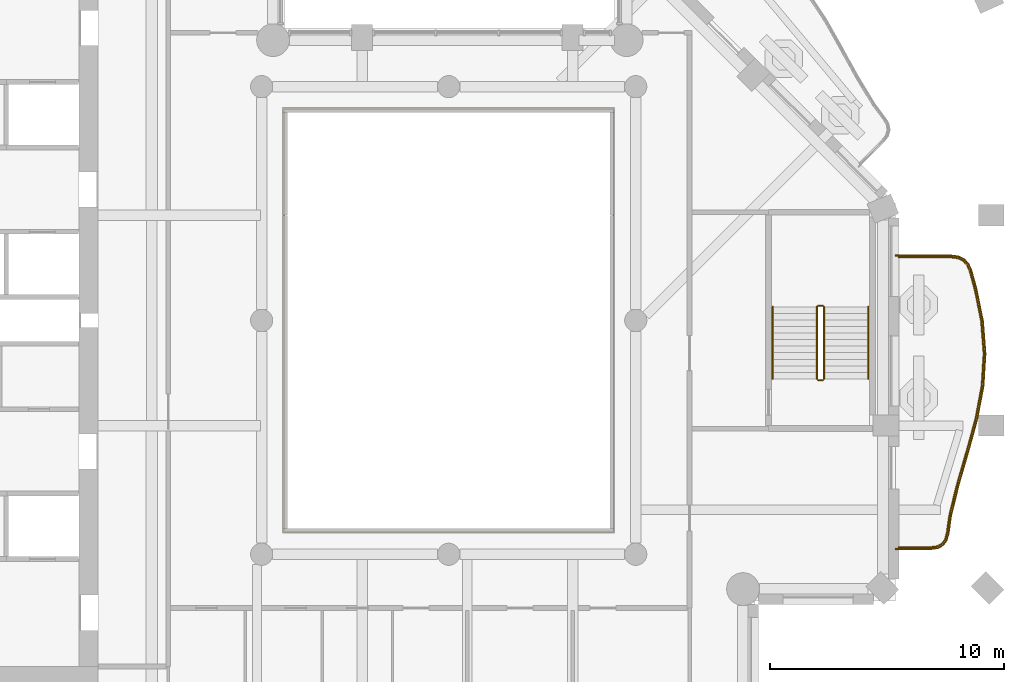
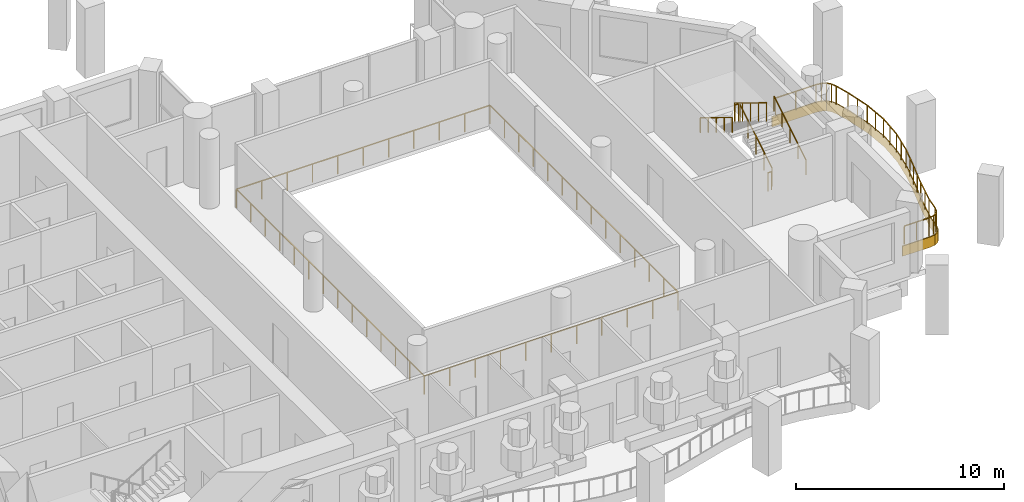
# One storey, part 12 of 15: 8 railings, 1 covering.
"""IFC4 building model written with IfcOpenShell, lengths in metres."""

import ifcopenshell
import ifcopenshell.guid

model = None  # the IFC model being written
_history = None  # IfcOwnerHistory: only IFC2X3 demands one
_inside = {}  # id of a spatial element -> (the spatial element, [elements in it])
_under = {}  # id of a project, library or spatial element -> (it, [spatial elements below it])
_declared = {}  # id of a project -> (the project, [libraries it declares])
_typed = {}  # id of a type object -> (the type object, [elements of that type])
_made_of = {}  # id of a material, layer set ... -> (it, [elements and type objects made of it])


def new_model(schema):
    """Start an empty IFC model of exactly this schema.

    Asked for "IFC4X3", IfcOpenShell would pick the latest addendum, in which some entities
    have other attributes; the version numbers below select the first issue.
    IFC2X3 requires an IfcOwnerHistory on every rooted entity: one is made here for all.
    """
    global model, _history
    if schema == "IFC4X3":
        model = ifcopenshell.file(schema_version=(4, 3, 0, 0))
    else:
        model = ifcopenshell.file(schema=schema)
    _inside.clear()
    _under.clear()
    _declared.clear()
    _typed.clear()
    _made_of.clear()
    _history = None
    if model.schema == "IFC2X3":
        org = make("IfcOrganization", Name="unknown")
        user = make(
            "IfcPersonAndOrganization",
            ThePerson=make("IfcPerson", FamilyName="unknown"),
            TheOrganization=org,
        )
        app = make(
            "IfcApplication",
            ApplicationDeveloper=org,
            Version="unknown",
            ApplicationFullName="unknown",
            ApplicationIdentifier="unknown",
        )
        _history = make(
            "IfcOwnerHistory",
            OwningUser=user,
            OwningApplication=app,
            ChangeAction="ADDED",
            CreationDate=0,
        )
    return model


def make(cls, **values):
    """One entity of the class cls with the attributes given. An attribute that is None is left unset."""
    return model.create_entity(
        cls, **{name: value for name, value in values.items() if value is not None}
    )


def rooted(cls, **values):
    """An entity with a GlobalId (a new one), such as an element, a storey or a relation."""
    return make(cls, GlobalId=ifcopenshell.guid.new(), OwnerHistory=_history, **values)


def si_unit(unit_type, name, prefix=None):
    """IfcSIUnit, for example si_unit("LENGTHUNIT", "METRE", prefix="MILLI")."""
    return make("IfcSIUnit", UnitType=unit_type, Prefix=prefix, Name=name)


def assignment(units):
    """IfcUnitAssignment: the units of a project."""
    return None if units is None else make("IfcUnitAssignment", Units=units)


def point(xyz):
    """IfcCartesianPoint."""
    return None if xyz is None else make("IfcCartesianPoint", Coordinates=xyz)


def direction(xyz):
    """IfcDirection."""
    return None if xyz is None else make("IfcDirection", DirectionRatios=xyz)


def frame(location, z_axis=None, x_axis=None):
    """IfcAxis2Placement3D, a coordinate frame: its origin and axes. An axis left out is left unset."""
    return make(
        "IfcAxis2Placement3D",
        Location=point(location),
        Axis=direction(z_axis),
        RefDirection=direction(x_axis),
    )


def frame_2d(location, x_axis=None):
    """IfcAxis2Placement2D, a coordinate frame in the plane: its origin and x axis."""
    return make(
        "IfcAxis2Placement2D", Location=point(location), RefDirection=direction(x_axis)
    )


def origin():
    """The frame at (0, 0, 0) with its axes left unset."""
    return frame((0.0, 0.0, 0.0))


def origin_2d():
    """The frame at (0, 0) in the plane with its x axis left unset."""
    return frame_2d((0.0, 0.0))


def place(relative_to, where):
    """IfcLocalPlacement: puts the frame where relative to a parent placement (None: the world)."""
    return make(
        "IfcLocalPlacement", PlacementRelTo=relative_to, RelativePlacement=where
    )


def context(
    kind, dimensions, precision=None, world=None, true_north=None, identifier=None
):
    """IfcGeometricRepresentationContext, for example the 3D "Model" context."""
    return make(
        "IfcGeometricRepresentationContext",
        ContextIdentifier=identifier,
        ContextType=kind,
        CoordinateSpaceDimension=dimensions,
        Precision=precision,
        WorldCoordinateSystem=world,
        TrueNorth=true_north,
    )


def subcontext(parent, identifier, kind, view, scale=None):
    """IfcGeometricRepresentationSubContext, for example "Body" below "Model"."""
    return make(
        "IfcGeometricRepresentationSubContext",
        ContextIdentifier=identifier,
        ContextType=kind,
        ParentContext=parent,
        TargetScale=scale,
        TargetView=view,
    )


def project(units=None, contexts=None):
    """IfcProject with its units and contexts."""
    return rooted(
        "IfcProject",
        Name="project",
        RepresentationContexts=contexts,
        UnitsInContext=assignment(units),
    )


def spatial(cls, under=None, at=None, **own):
    """A site, building, storey or space (cls), placed at a placement, below another one or the project."""
    s = rooted(cls, ObjectPlacement=at, **own)
    if under is not None:
        _under.setdefault(under.id(), (under, []))[1].append(s)
    return s


def polyline(points):
    """IfcPolyline through the points."""
    return make("IfcPolyline", Points=[point(p) for p in points])


def profile(cls, at=None, kind="AREA", **sizes):
    """A parametric profile (cls). Its sizes go by their IFC names, for example OverallWidth=200.0."""
    return make(cls, ProfileType=kind, Position=at, **sizes)


def rectangle(**sizes):
    """IfcRectangleProfileDef."""
    return profile("IfcRectangleProfileDef", **sizes)


def outline(outer, holes=None, kind="AREA"):
    """IfcArbitraryClosedProfileDef: a profile drawn as a closed curve; with holes, ...WithVoids."""
    if holes is None:
        return make("IfcArbitraryClosedProfileDef", ProfileType=kind, OuterCurve=outer)
    return make(
        "IfcArbitraryProfileDefWithVoids",
        ProfileType=kind,
        OuterCurve=outer,
        InnerCurves=holes,
    )


def extrude(swept, where, along, depth):
    """IfcExtrudedAreaSolid: the profile swept, set in the frame where, extruded along a direction by depth."""
    return make(
        "IfcExtrudedAreaSolid",
        SweptArea=swept,
        Position=where,
        ExtrudedDirection=direction(along),
        Depth=depth,
    )


def shape(context_of_items, identifier, shape_type, items):
    """IfcShapeRepresentation: the items that make up one representation, for example the "Body"."""
    return make(
        "IfcShapeRepresentation",
        ContextOfItems=context_of_items,
        RepresentationIdentifier=identifier,
        RepresentationType=shape_type,
        Items=items,
    )


def material(Name=None, Category=None):
    """IfcMaterial."""
    return make("IfcMaterial", Name=Name, Category=Category)


def layer(
    of_material, thickness, ventilated=None, Name=None, Category=None, Priority=None
):
    """IfcMaterialLayer: one layer of a wall or slab, of a material (None: an air gap)."""
    return make(
        "IfcMaterialLayer",
        Material=of_material,
        LayerThickness=thickness,
        IsVentilated=ventilated,
        Name=Name,
        Category=Category,
        Priority=Priority,
    )


def layer_set(layers, Name=None):
    """IfcMaterialLayerSet."""
    return make("IfcMaterialLayerSet", MaterialLayers=layers, LayerSetName=Name)


def made_of(thing, what):
    """Note that an element or type object is made of a material, layer set ...; save() writes the relation."""
    if what is not None:
        _made_of.setdefault(what.id(), (what, []))[1].append(thing)
    return thing


def type_object(cls, material=None, **own):
    """A type object (cls), such as IfcWallType, which elements share."""
    return made_of(rooted(cls, **own), material)


def element(
    cls,
    number,
    at=None,
    inside=None,
    cuts=None,
    type_object=None,
    material=None,
    context=None,
    identifier="Body",
    shape_type=None,
    held_by="IfcProductDefinitionShape",
    body=None,
    shapes=None,
    **own,
):
    """One element of the class cls, such as IfcWall. Its Tag is "e" and its number.

    at: its placement. inside: the storey or other place that contains it. cuts: it is an
    opening in that element (IfcRelVoidsElement). A single representation is given by context,
    identifier, shape_type and body (its items); several are given by shapes. held_by: the class
    of the entity that holds the representations. save() writes the other relations.
    """
    e = rooted(cls, Tag="e%d" % number, ObjectPlacement=at, **own)
    if body is not None:
        shapes = [shape(context, identifier, shape_type, body)]
    if shapes is not None:
        e.Representation = make(held_by, Representations=shapes)
    if inside is not None:
        _inside.setdefault(inside.id(), (inside, []))[1].append(e)
    if cuts is not None:
        rooted(
            "IfcRelVoidsElement", RelatingBuildingElement=cuts, RelatedOpeningElement=e
        )
    if type_object is not None:
        _typed.setdefault(type_object.id(), (type_object, []))[1].append(e)
    return made_of(e, material)


def aggregate(whole, parts):
    """IfcRelAggregates: a whole, such as a stair, and the parts it consists of."""
    return rooted("IfcRelAggregates", RelatingObject=whole, RelatedObjects=parts)


def save(model, path):
    """Write the relations noted so far, then the file.

    IfcRelAggregates (storeys below a building ...), IfcRelContainedInSpatialStructure (elements
    in a storey), IfcRelDefinesByType, IfcRelAssociatesMaterial and IfcRelDeclares: one each for
    every whole, place, type object, material and project.
    """
    for whole, parts in _under.values():
        aggregate(whole, parts)
    for where, things in _inside.values():
        rooted(
            "IfcRelContainedInSpatialStructure",
            RelatedElements=things,
            RelatingStructure=where,
        )
    for kind, things in _typed.values():
        rooted("IfcRelDefinesByType", RelatedObjects=things, RelatingType=kind)
    for what, things in _made_of.values():
        rooted("IfcRelAssociatesMaterial", RelatedObjects=things, RelatingMaterial=what)
    for by, libraries in _declared.values():
        rooted("IfcRelDeclares", RelatingContext=by, RelatedDefinitions=libraries)
    model.write(path)


model = new_model("IFC4")

# Units and contexts
model_context = context("Model", 3, precision=1e-05, world=origin(), true_north=direction((0.0, 1.0)))
body_context = subcontext(model_context, "Body", "Model", "MODEL_VIEW")
ifc_project = project(units=[si_unit("LENGTHUNIT", "METRE"), si_unit("AREAUNIT", "SQUARE_METRE"), si_unit("VOLUMEUNIT", "CUBIC_METRE"), si_unit("PLANEANGLEUNIT", "RADIAN"), si_unit("MASSUNIT", "GRAM", prefix="KILO")], contexts=[model_context])

# Site, building, storey
site_placement = place(None, origin())
site = spatial("IfcSite", under=ifc_project, at=site_placement, CompositionType="ELEMENT")
building_placement = place(site_placement, origin())
building = spatial("IfcBuilding", under=site, at=building_placement, Name="Cypress Arch Tower", CompositionType="ELEMENT")
storey_placement = place(building_placement, frame((0.0, 0.0, 234.300048828125)))
storey = spatial("IfcBuildingStorey", under=building, at=storey_placement, Name="L52", CompositionType="ELEMENT", Elevation=234.300048828125)

# Railing
ifc_material_1 = material(Name="Stainless steel posts and handrail, laminated glass infill", Category="steel")
railing_type_1 = type_object("IfcRailingType", Name="Atrium guard GR1100A", PredefinedType="GUARDRAIL", material=ifc_material_1)
railing_1_placement = place(storey_placement, frame((8.050048828125, -9.050048828125, 0.0)))
element("IfcRailing", 1, at=railing_1_placement, inside=storey, type_object=railing_type_1, Name="Atrium guard L52", PredefinedType="GUARDRAIL", context=body_context, shape_type="SweptSolid", body=[
    extrude(rectangle(XDim=0.050048828125, YDim=0.050048828125, at=origin_2d()), frame((0.0, 0.0, 1.0751953125), z_axis=(-1.0, 0.0, 0.0), x_axis=(0.0, -1.0, 0.0)), (0.0, 0.0, 1.0), 14.10009765625),
    extrude(rectangle(XDim=0.050048828125, YDim=0.050048828125, at=origin_2d()), frame((-14.10009765625, 0.0, 1.0751953125), z_axis=(0.0, 1.0, 0.0), x_axis=(-1.0, 0.0, 0.0)), (0.0, 0.0, 1.0), 18.10009765625),
    extrude(rectangle(XDim=0.050048828125, YDim=0.050048828125, at=origin_2d()), frame((-14.10009765625, 18.10009765625, 1.0751953125), z_axis=(1.0, 0.0, 0.0), x_axis=(0.0, 1.0, 0.0)), (0.0, 0.0, 1.0), 14.10009765625),
    extrude(rectangle(XDim=0.050048828125, YDim=0.050048828125, at=origin_2d()), frame((0.0, 18.10009765625, 1.0751953125), z_axis=(0.0, -1.0, 0.0), x_axis=(1.0, 0.0, 0.0)), (0.0, 0.0, 1.0), 18.10009765625),
    extrude(rectangle(XDim=0.050048828125, YDim=0.050048828125, at=origin_2d()), origin(), (0.0, 0.0, 1.0), 1.050048828125),
    extrude(rectangle(XDim=0.050048828125, YDim=0.050048828125, at=origin_2d()), frame((-1.409912109375, 0.0, 0.0)), (0.0, 0.0, 1.0), 1.050048828125),
    extrude(rectangle(XDim=0.050048828125, YDim=0.050048828125, at=origin_2d()), frame((-2.820068359375, 0.0, 0.0)), (0.0, 0.0, 1.0), 1.050048828125),
    extrude(rectangle(XDim=0.050048828125, YDim=0.050048828125, at=origin_2d()), frame((-4.22998046875, 0.0, 0.0)), (0.0, 0.0, 1.0), 1.050048828125),
    extrude(rectangle(XDim=0.050048828125, YDim=0.050048828125, at=origin_2d()), frame((-5.64013671875, 0.0, 0.0)), (0.0, 0.0, 1.0), 1.050048828125),
    extrude(rectangle(XDim=0.050048828125, YDim=0.050048828125, at=origin_2d()), frame((-7.050048828125, 0.0, 0.0)), (0.0, 0.0, 1.0), 1.050048828125),
    extrude(rectangle(XDim=0.050048828125, YDim=0.050048828125, at=origin_2d()), frame((-8.4599609375, 0.0, 0.0)), (0.0, 0.0, 1.0), 1.050048828125),
    extrude(rectangle(XDim=0.050048828125, YDim=0.050048828125, at=origin_2d()), frame((-9.8701171875, 0.0, 0.0)), (0.0, 0.0, 1.0), 1.050048828125),
    extrude(rectangle(XDim=0.050048828125, YDim=0.050048828125, at=origin_2d()), frame((-11.280029296875, 0.0, 0.0)), (0.0, 0.0, 1.0), 1.050048828125),
    extrude(rectangle(XDim=0.050048828125, YDim=0.050048828125, at=origin_2d()), frame((-12.690185546875, 0.0, 0.0)), (0.0, 0.0, 1.0), 1.050048828125),
    extrude(rectangle(XDim=0.050048828125, YDim=0.050048828125, at=origin_2d()), frame((-14.10009765625, 0.0, 0.0)), (0.0, 0.0, 1.0), 1.050048828125),
    extrude(rectangle(XDim=0.050048828125, YDim=0.050048828125, at=origin_2d()), frame((-14.10009765625, 1.392333984375, 0.0)), (0.0, 0.0, 1.0), 1.050048828125),
    extrude(rectangle(XDim=0.050048828125, YDim=0.050048828125, at=origin_2d()), frame((-14.10009765625, 2.78466796875, 0.0)), (0.0, 0.0, 1.0), 1.050048828125),
    extrude(rectangle(XDim=0.050048828125, YDim=0.050048828125, at=origin_2d()), frame((-14.10009765625, 4.177001953125, 0.0)), (0.0, 0.0, 1.0), 1.050048828125),
    extrude(rectangle(XDim=0.050048828125, YDim=0.050048828125, at=origin_2d()), frame((-14.10009765625, 5.5693359375, 0.0)), (0.0, 0.0, 1.0), 1.050048828125),
    extrude(rectangle(XDim=0.050048828125, YDim=0.050048828125, at=origin_2d()), frame((-14.10009765625, 6.961669921875, 0.0)), (0.0, 0.0, 1.0), 1.050048828125),
    extrude(rectangle(XDim=0.050048828125, YDim=0.050048828125, at=origin_2d()), frame((-14.10009765625, 8.35400390625, 0.0)), (0.0, 0.0, 1.0), 1.050048828125),
    extrude(rectangle(XDim=0.050048828125, YDim=0.050048828125, at=origin_2d()), frame((-14.10009765625, 9.74609375, 0.0)), (0.0, 0.0, 1.0), 1.050048828125),
    extrude(rectangle(XDim=0.050048828125, YDim=0.050048828125, at=origin_2d()), frame((-14.10009765625, 11.138427734375, 0.0)), (0.0, 0.0, 1.0), 1.050048828125),
    extrude(rectangle(XDim=0.050048828125, YDim=0.050048828125, at=origin_2d()), frame((-14.10009765625, 12.53076171875, 0.0)), (0.0, 0.0, 1.0), 1.050048828125),
    extrude(rectangle(XDim=0.050048828125, YDim=0.050048828125, at=origin_2d()), frame((-14.10009765625, 13.923095703125, 0.0)), (0.0, 0.0, 1.0), 1.050048828125),
    extrude(rectangle(XDim=0.050048828125, YDim=0.050048828125, at=origin_2d()), frame((-14.10009765625, 15.3154296875, 0.0)), (0.0, 0.0, 1.0), 1.050048828125),
    extrude(rectangle(XDim=0.050048828125, YDim=0.050048828125, at=origin_2d()), frame((-14.10009765625, 16.707763671875, 0.0)), (0.0, 0.0, 1.0), 1.050048828125),
    extrude(rectangle(XDim=0.050048828125, YDim=0.050048828125, at=origin_2d()), frame((-14.10009765625, 18.10009765625, 0.0)), (0.0, 0.0, 1.0), 1.050048828125),
    extrude(rectangle(XDim=0.050048828125, YDim=0.050048828125, at=origin_2d()), frame((-12.690185546875, 18.10009765625, 0.0)), (0.0, 0.0, 1.0), 1.050048828125),
    extrude(rectangle(XDim=0.050048828125, YDim=0.050048828125, at=origin_2d()), frame((-11.280029296875, 18.10009765625, 0.0)), (0.0, 0.0, 1.0), 1.050048828125),
    extrude(rectangle(XDim=0.050048828125, YDim=0.050048828125, at=origin_2d()), frame((-9.8701171875, 18.10009765625, 0.0)), (0.0, 0.0, 1.0), 1.050048828125),
    extrude(rectangle(XDim=0.050048828125, YDim=0.050048828125, at=origin_2d()), frame((-8.4599609375, 18.10009765625, 0.0)), (0.0, 0.0, 1.0), 1.050048828125),
    extrude(rectangle(XDim=0.050048828125, YDim=0.050048828125, at=origin_2d()), frame((-7.050048828125, 18.10009765625, 0.0)), (0.0, 0.0, 1.0), 1.050048828125),
    extrude(rectangle(XDim=0.050048828125, YDim=0.050048828125, at=origin_2d()), frame((-5.64013671875, 18.10009765625, 0.0)), (0.0, 0.0, 1.0), 1.050048828125),
    extrude(rectangle(XDim=0.050048828125, YDim=0.050048828125, at=origin_2d()), frame((-4.22998046875, 18.10009765625, 0.0)), (0.0, 0.0, 1.0), 1.050048828125),
    extrude(rectangle(XDim=0.050048828125, YDim=0.050048828125, at=origin_2d()), frame((-2.820068359375, 18.10009765625, 0.0)), (0.0, 0.0, 1.0), 1.050048828125),
    extrude(rectangle(XDim=0.050048828125, YDim=0.050048828125, at=origin_2d()), frame((-1.409912109375, 18.10009765625, 0.0)), (0.0, 0.0, 1.0), 1.050048828125),
    extrude(rectangle(XDim=0.050048828125, YDim=0.050048828125, at=origin_2d()), frame((0.0, 18.10009765625, 0.0)), (0.0, 0.0, 1.0), 1.050048828125),
    extrude(rectangle(XDim=0.050048828125, YDim=0.050048828125, at=origin_2d()), frame((0.0, 16.707763671875, 0.0)), (0.0, 0.0, 1.0), 1.050048828125),
    extrude(rectangle(XDim=0.050048828125, YDim=0.050048828125, at=origin_2d()), frame((0.0, 15.3154296875, 0.0)), (0.0, 0.0, 1.0), 1.050048828125),
    extrude(rectangle(XDim=0.050048828125, YDim=0.050048828125, at=origin_2d()), frame((0.0, 13.923095703125, 0.0)), (0.0, 0.0, 1.0), 1.050048828125),
    extrude(rectangle(XDim=0.050048828125, YDim=0.050048828125, at=origin_2d()), frame((0.0, 12.53076171875, 0.0)), (0.0, 0.0, 1.0), 1.050048828125),
    extrude(rectangle(XDim=0.050048828125, YDim=0.050048828125, at=origin_2d()), frame((0.0, 11.138427734375, 0.0)), (0.0, 0.0, 1.0), 1.050048828125),
    extrude(rectangle(XDim=0.050048828125, YDim=0.050048828125, at=origin_2d()), frame((0.0, 9.74609375, 0.0)), (0.0, 0.0, 1.0), 1.050048828125),
    extrude(rectangle(XDim=0.050048828125, YDim=0.050048828125, at=origin_2d()), frame((0.0, 8.35400390625, 0.0)), (0.0, 0.0, 1.0), 1.050048828125),
    extrude(rectangle(XDim=0.050048828125, YDim=0.050048828125, at=origin_2d()), frame((0.0, 6.961669921875, 0.0)), (0.0, 0.0, 1.0), 1.050048828125),
    extrude(rectangle(XDim=0.050048828125, YDim=0.050048828125, at=origin_2d()), frame((0.0, 5.5693359375, 0.0)), (0.0, 0.0, 1.0), 1.050048828125),
    extrude(rectangle(XDim=0.050048828125, YDim=0.050048828125, at=origin_2d()), frame((0.0, 4.177001953125, 0.0)), (0.0, 0.0, 1.0), 1.050048828125),
    extrude(rectangle(XDim=0.050048828125, YDim=0.050048828125, at=origin_2d()), frame((0.0, 2.78466796875, 0.0)), (0.0, 0.0, 1.0), 1.050048828125),
    extrude(rectangle(XDim=0.050048828125, YDim=0.050048828125, at=origin_2d()), frame((0.0, 1.392333984375, 0.0)), (0.0, 0.0, 1.0), 1.050048828125),
])

# Covering
ifc_material_2 = material(Name="White powder-coated aluminium fascia", Category="aluminium")
ifc_layer = layer(ifc_material_2, 0.050048828125)
ifc_layer_set = layer_set([ifc_layer], Name="Balcony fascia BF50")
covering_type = type_object("IfcCoveringType", Name="Balcony fascia BF50", PredefinedType="CLADDING", material=ifc_layer_set)
covering_placement = place(storey_placement, frame((0.0, 0.0, -0.60009765625)))
element("IfcCovering", 2, at=covering_placement, inside=storey, type_object=covering_type, Name="Balcony fascia L52-B04", PredefinedType="CLADDING", context=body_context, shape_type="SweptSolid", body=[
    extrude(outline(polyline([(22.513671875, 2.800048828125), (22.81982421875, 2.759521484375), (23.071044921875, 2.63427734375), (23.259033203125, 2.42578125), (23.380126953125, 2.1416015625), (23.59375, 1.372802734375), (23.874755859375, -0.020751953125), (23.98486328125, -1.416259765625), (23.89794921875, -2.811767578125), (23.634765625, -4.20556640625), (23.25634765625, -5.596923828125), (22.850341796875, -6.985107421875), (22.51025390625, -8.37060546875), (22.401611328125, -9.135498046875), (22.31982421875, -9.421142578125), (22.161865234375, -9.63232421875), (21.930419921875, -9.75927734375), (21.63623046875, -9.800048828125), (20.10107421875, -9.800048828125), (20.10107421875, -9.75), (21.632568359375, -9.75), (21.914306640625, -9.7109375), (22.12841796875, -9.59375), (22.2744140625, -9.3984375), (22.3525390625, -9.125), (22.461181640625, -8.361083984375), (22.802001953125, -6.97216796875), (23.208251953125, -5.583251953125), (23.5859375, -4.1943359375), (23.84814453125, -2.8056640625), (23.9345703125, -1.416748046875), (23.8251953125, -0.02783203125), (23.545166015625, 1.361083984375), (23.332763671875, 2.125), (23.21630859375, 2.3984375), (23.040283203125, 2.59375), (22.804931640625, 2.7109375), (22.51025390625, 2.75), (20.10107421875, 2.75), (20.10107421875, 2.800048828125), (22.513671875, 2.800048828125)])), origin(), (0.0, 0.0, 1.0), 0.60009765625),
])

# Railings
ifc_material_3 = material(Name="Powder-coated steel posts and rods, 100 mm clear between rods", Category="steel")
railing_type_2 = type_object("IfcRailingType", Name="Balcony guard GR1100", PredefinedType="GUARDRAIL", material=ifc_material_3)
railing_2_placement = place(storey_placement, frame((20.25, 2.699951171875, 0.0)))
element("IfcRailing", 3, at=railing_2_placement, inside=storey, type_object=railing_type_2, Name="Balcony guard L52-B04", PredefinedType="GUARDRAIL", context=body_context, shape_type="SweptSolid", body=[
    extrude(rectangle(XDim=0.050048828125, YDim=0.050048828125, at=origin_2d()), frame((0.0, 0.0, 1.0751953125), z_axis=(1.0, 0.0, 0.0), x_axis=(0.0, 1.0, 0.0)), (0.0, 0.0, 1.0), 2.257080078125),
    extrude(rectangle(XDim=0.050048828125, YDim=0.050048828125, at=origin_2d()), frame((2.257080078125, 0.0, 1.0751953125), z_axis=(0.991302377652, -0.131603936343, 0.0), x_axis=(0.131603936343, 0.991302377652, 0.0)), (0.0, 0.0, 1.0), 0.28564453125),
    extrude(rectangle(XDim=0.050048828125, YDim=0.050048828125, at=origin_2d()), frame((2.540283203125, -0.03759765625, 1.0751953125), z_axis=(0.895223295072, -0.445617831734, 0.0), x_axis=(0.445617831734, 0.895223295072, 0.0)), (0.0, 0.0, 1.0), 0.244873046875),
    extrude(rectangle(XDim=0.050048828125, YDim=0.050048828125, at=origin_2d()), frame((2.759521484375, -0.146728515625, 1.0751953125), z_axis=(0.669294822903, -0.742996931377, 0.0), x_axis=(0.742996931377, 0.669294822903, 0.0)), (0.0, 0.0, 1.0), 0.2451171875),
    extrude(rectangle(XDim=0.050048828125, YDim=0.050048828125, at=origin_2d()), frame((2.923583984375, -0.328857421875, 1.0751953125), z_axis=(0.391647590431, -0.920115299791, 0.0), x_axis=(0.920115299791, 0.391647590431, 0.0)), (0.0, 0.0, 1.0), 0.285400390625),
    extrude(rectangle(XDim=0.050048828125, YDim=0.050048828125, at=origin_2d()), frame((3.035400390625, -0.591552734375, 1.0751953125), z_axis=(0.268043395332, -0.963406839408, 0.0), x_axis=(0.963406839408, 0.268043395332, 0.0)), (0.0, 0.0, 1.0), 0.787841796875),
    extrude(rectangle(XDim=0.050048828125, YDim=0.050048828125, at=origin_2d()), frame((3.24658203125, -1.3505859375, 1.0751953125), z_axis=(0.197645557946, -0.980273550303, 0.0), x_axis=(0.980273550303, 0.197645557946, 0.0)), (0.0, 0.0, 1.0), 1.411865234375),
    extrude(rectangle(XDim=0.050048828125, YDim=0.050048828125, at=origin_2d()), frame((3.525634765625, -2.734619140625, 1.0751953125), z_axis=(0.078527504166, -0.996911947511, 0.0), x_axis=(0.996911947511, 0.078527504166, 0.0)), (0.0, 0.0, 1.0), 1.38671875),
    extrude(rectangle(XDim=0.050048828125, YDim=0.050048828125, at=origin_2d()), frame((3.634521484375, -4.116943359375, 1.0751953125), z_axis=(-0.062049051853, -0.998073101112, 0.0), x_axis=(0.998073101112, -0.062049051853, 0.0)), (0.0, 0.0, 1.0), 1.385009765625),
    extrude(rectangle(XDim=0.050048828125, YDim=0.050048828125, at=origin_2d()), frame((3.548583984375, -5.499267578125, 1.0751953125), z_axis=(-0.185670010247, -0.982612155072, 0.0), x_axis=(0.982612155072, -0.185670010247, 0.0)), (0.0, 0.0, 1.0), 1.408203125),
    extrude(rectangle(XDim=0.050048828125, YDim=0.050048828125, at=origin_2d()), frame((3.287109375, -6.883056640625, 1.0751953125), z_axis=(-0.262312290423, -0.964983037308, 0.0), x_axis=(0.964983037308, -0.262312290423, 0.0)), (0.0, 0.0, 1.0), 1.43701171875),
    extrude(rectangle(XDim=0.050048828125, YDim=0.050048828125, at=origin_2d()), frame((2.91015625, -8.269775390625, 1.0751953125), z_axis=(-0.280796454855, -0.959767342089, 0.0), x_axis=(0.959767342089, -0.280796454855, 0.0)), (0.0, 0.0, 1.0), 1.44775390625),
    extrude(rectangle(XDim=0.050048828125, YDim=0.050048828125, at=origin_2d()), frame((2.503662109375, -9.6591796875, 1.0751953125), z_axis=(-0.23840639537, -0.971165480568, 0.0), x_axis=(0.971165480568, -0.23840639537, 0.0)), (0.0, 0.0, 1.0), 1.43359375),
    extrude(rectangle(XDim=0.050048828125, YDim=0.050048828125, at=origin_2d()), frame((2.161865234375, -11.051513671875, 1.0751953125), z_axis=(-0.140356717871, -0.990101000782, 0.0), x_axis=(0.990101000782, -0.140356717871, 0.0)), (0.0, 0.0, 1.0), 0.7705078125),
    extrude(rectangle(XDim=0.050048828125, YDim=0.050048828125, at=origin_2d()), frame((2.0537109375, -11.814453125, 1.0751953125), z_axis=(-0.275788790443, -0.961218259849, 0.0), x_axis=(0.961218259849, -0.275788790443, 0.0)), (0.0, 0.0, 1.0), 0.271728515625),
    extrude(rectangle(XDim=0.050048828125, YDim=0.050048828125, at=origin_2d()), frame((1.978759765625, -12.07568359375, 1.0751953125), z_axis=(-0.598429194745, -0.801175697882, 0.0), x_axis=(0.801175697882, -0.598429194745, 0.0)), (0.0, 0.0, 1.0), 0.223876953125),
    extrude(rectangle(XDim=0.050048828125, YDim=0.050048828125, at=origin_2d()), frame((1.8447265625, -12.255126953125, 1.0751953125), z_axis=(-0.87722756424, -0.4800747864, 0.0), x_axis=(0.4800747864, -0.87722756424, 0.0)), (0.0, 0.0, 1.0), 0.223876953125),
    extrude(rectangle(XDim=0.050048828125, YDim=0.050048828125, at=origin_2d()), frame((1.6484375, -12.362548828125, 1.0751953125), z_axis=(-0.990516051474, -0.137397058817, 0.0), x_axis=(0.137397058817, -0.990516051474, 0.0)), (0.0, 0.0, 1.0), 0.27197265625),
    extrude(rectangle(XDim=0.050048828125, YDim=0.050048828125, at=origin_2d()), frame((1.379150390625, -12.39990234375, 1.0751953125), z_axis=(-1.0, 0.0, 0.0), x_axis=(0.0, -1.0, 0.0)), (0.0, 0.0, 1.0), 1.379150390625),
    extrude(rectangle(XDim=0.0400390625, YDim=0.0400390625, at=origin_2d()), origin(), (0.0, 0.0, 1.0), 1.050048828125),
    extrude(rectangle(XDim=0.0400390625, YDim=0.0400390625, at=origin_2d()), frame((1.12841796875, 0.0, 0.0)), (0.0, 0.0, 1.0), 1.050048828125),
    extrude(rectangle(XDim=0.0400390625, YDim=0.0400390625, at=origin_2d()), frame((2.257080078125, 0.0, 0.0)), (0.0, 0.0, 1.0), 1.050048828125),
    extrude(rectangle(XDim=0.0400390625, YDim=0.0400390625, at=origin_2d()), frame((2.540283203125, -0.03759765625, 0.0)), (0.0, 0.0, 1.0), 1.050048828125),
    extrude(rectangle(XDim=0.0400390625, YDim=0.0400390625, at=origin_2d()), frame((2.759521484375, -0.146728515625, 0.0)), (0.0, 0.0, 1.0), 1.050048828125),
    extrude(rectangle(XDim=0.0400390625, YDim=0.0400390625, at=origin_2d()), frame((2.923583984375, -0.328857421875, 0.0)), (0.0, 0.0, 1.0), 1.050048828125),
    extrude(rectangle(XDim=0.0400390625, YDim=0.0400390625, at=origin_2d()), frame((3.035400390625, -0.591552734375, 0.0)), (0.0, 0.0, 1.0), 1.050048828125),
    extrude(rectangle(XDim=0.0400390625, YDim=0.0400390625, at=origin_2d()), frame((3.24658203125, -1.3505859375, 0.0)), (0.0, 0.0, 1.0), 1.050048828125),
    extrude(rectangle(XDim=0.0400390625, YDim=0.0400390625, at=origin_2d()), frame((3.38623046875, -2.04248046875, 0.0)), (0.0, 0.0, 1.0), 1.050048828125),
    extrude(rectangle(XDim=0.0400390625, YDim=0.0400390625, at=origin_2d()), frame((3.525634765625, -2.734619140625, 0.0)), (0.0, 0.0, 1.0), 1.050048828125),
    extrude(rectangle(XDim=0.0400390625, YDim=0.0400390625, at=origin_2d()), frame((3.580078125, -3.42578125, 0.0)), (0.0, 0.0, 1.0), 1.050048828125),
    extrude(rectangle(XDim=0.0400390625, YDim=0.0400390625, at=origin_2d()), frame((3.634521484375, -4.116943359375, 0.0)), (0.0, 0.0, 1.0), 1.050048828125),
    extrude(rectangle(XDim=0.0400390625, YDim=0.0400390625, at=origin_2d()), frame((3.591552734375, -4.80810546875, 0.0)), (0.0, 0.0, 1.0), 1.050048828125),
    extrude(rectangle(XDim=0.0400390625, YDim=0.0400390625, at=origin_2d()), frame((3.548583984375, -5.499267578125, 0.0)), (0.0, 0.0, 1.0), 1.050048828125),
    extrude(rectangle(XDim=0.0400390625, YDim=0.0400390625, at=origin_2d()), frame((3.41796875, -6.191162109375, 0.0)), (0.0, 0.0, 1.0), 1.050048828125),
    extrude(rectangle(XDim=0.0400390625, YDim=0.0400390625, at=origin_2d()), frame((3.287109375, -6.883056640625, 0.0)), (0.0, 0.0, 1.0), 1.050048828125),
    extrude(rectangle(XDim=0.0400390625, YDim=0.0400390625, at=origin_2d()), frame((3.0986328125, -7.576416015625, 0.0)), (0.0, 0.0, 1.0), 1.050048828125),
    extrude(rectangle(XDim=0.0400390625, YDim=0.0400390625, at=origin_2d()), frame((2.91015625, -8.269775390625, 0.0)), (0.0, 0.0, 1.0), 1.050048828125),
    extrude(rectangle(XDim=0.0400390625, YDim=0.0400390625, at=origin_2d()), frame((2.70703125, -8.96435546875, 0.0)), (0.0, 0.0, 1.0), 1.050048828125),
    extrude(rectangle(XDim=0.0400390625, YDim=0.0400390625, at=origin_2d()), frame((2.503662109375, -9.6591796875, 0.0)), (0.0, 0.0, 1.0), 1.050048828125),
    extrude(rectangle(XDim=0.0400390625, YDim=0.0400390625, at=origin_2d()), frame((2.332763671875, -10.35546875, 0.0)), (0.0, 0.0, 1.0), 1.050048828125),
    extrude(rectangle(XDim=0.0400390625, YDim=0.0400390625, at=origin_2d()), frame((2.161865234375, -11.051513671875, 0.0)), (0.0, 0.0, 1.0), 1.050048828125),
    extrude(rectangle(XDim=0.0400390625, YDim=0.0400390625, at=origin_2d()), frame((2.0537109375, -11.814453125, 0.0)), (0.0, 0.0, 1.0), 1.050048828125),
    extrude(rectangle(XDim=0.0400390625, YDim=0.0400390625, at=origin_2d()), frame((1.978759765625, -12.07568359375, 0.0)), (0.0, 0.0, 1.0), 1.050048828125),
    extrude(rectangle(XDim=0.0400390625, YDim=0.0400390625, at=origin_2d()), frame((1.8447265625, -12.255126953125, 0.0)), (0.0, 0.0, 1.0), 1.050048828125),
    extrude(rectangle(XDim=0.0400390625, YDim=0.0400390625, at=origin_2d()), frame((1.6484375, -12.362548828125, 0.0)), (0.0, 0.0, 1.0), 1.050048828125),
    extrude(rectangle(XDim=0.0400390625, YDim=0.0400390625, at=origin_2d()), frame((1.379150390625, -12.39990234375, 0.0)), (0.0, 0.0, 1.0), 1.050048828125),
    extrude(rectangle(XDim=0.0400390625, YDim=0.0400390625, at=origin_2d()), frame((0.689453125, -12.39990234375, 0.0)), (0.0, 0.0, 1.0), 1.050048828125),
    extrude(rectangle(XDim=0.0400390625, YDim=0.0400390625, at=origin_2d()), frame((0.0, -12.39990234375, 0.0)), (0.0, 0.0, 1.0), 1.050048828125),
])
ifc_material_4 = material(Name="Black powder-coated steel square bar 48 mm", Category="steel")
railing_type_3 = type_object("IfcRailingType", Name="Stair handrail HR1", PredefinedType="HANDRAIL", material=ifc_material_4)
railing_3_placement = place(storey_placement, frame((18.949951171875, -2.5, 0.1708984375)))
element("IfcRailing", 4, at=railing_3_placement, inside=storey, type_object=railing_type_3, Name="L52 C stair handrail 1", PredefinedType="HANDRAIL", context=body_context, shape_type="SweptSolid", body=[
    extrude(rectangle(XDim=0.048095703125, YDim=0.048095703125, at=origin_2d()), frame((0.0, 0.0, 0.8759765625), z_axis=(0.0, 0.853666305674, 0.52082035152), x_axis=(-1.0, 0.0, 0.0)), (0.0, 0.0, 1.0), 3.608154296875),
    extrude(rectangle(XDim=0.0419921875, YDim=0.0419921875, at=origin_2d()), origin(), (0.0, 0.0, 1.0), 0.851806640625),
    extrude(rectangle(XDim=0.0419921875, YDim=0.0419921875, at=origin_2d()), frame((0.0, 0.77001953125, 0.4697265625)), (0.0, 0.0, 1.0), 0.851806640625),
    extrude(rectangle(XDim=0.0419921875, YDim=0.0419921875, at=origin_2d()), frame((0.0, 1.5400390625, 0.939453125)), (0.0, 0.0, 1.0), 0.851806640625),
    extrude(rectangle(XDim=0.0419921875, YDim=0.0419921875, at=origin_2d()), frame((0.0, 2.31005859375, 1.409423828125)), (0.0, 0.0, 1.0), 0.851806640625),
    extrude(rectangle(XDim=0.0419921875, YDim=0.0419921875, at=origin_2d()), frame((0.0, 3.080078125, 1.879150390625)), (0.0, 0.0, 1.0), 0.851806640625),
])
railing_4_placement = place(storey_placement, frame((14.85009765625, 0.580078125, 2.220703125)))
element("IfcRailing", 5, at=railing_4_placement, inside=storey, type_object=railing_type_3, Name="L52 C stair handrail 2", PredefinedType="HANDRAIL", context=body_context, shape_type="SweptSolid", body=[
    extrude(rectangle(XDim=0.048095703125, YDim=0.048095703125, at=origin_2d()), frame((0.0, 0.0, 0.8759765625), z_axis=(0.0, -0.853666305674, 0.52082035152), x_axis=(1.0, 0.0, 0.0)), (0.0, 0.0, 1.0), 3.608154296875),
    extrude(rectangle(XDim=0.0419921875, YDim=0.0419921875, at=origin_2d()), origin(), (0.0, 0.0, 1.0), 0.851806640625),
    extrude(rectangle(XDim=0.0419921875, YDim=0.0419921875, at=origin_2d()), frame((0.0, -0.77001953125, 0.4697265625)), (0.0, 0.0, 1.0), 0.851806640625),
    extrude(rectangle(XDim=0.0419921875, YDim=0.0419921875, at=origin_2d()), frame((0.0, -1.5400390625, 0.939453125)), (0.0, 0.0, 1.0), 0.851806640625),
    extrude(rectangle(XDim=0.0419921875, YDim=0.0419921875, at=origin_2d()), frame((0.0, -2.31005859375, 1.409423828125)), (0.0, 0.0, 1.0), 0.851806640625),
    extrude(rectangle(XDim=0.0419921875, YDim=0.0419921875, at=origin_2d()), frame((0.0, -3.080078125, 1.879150390625)), (0.0, 0.0, 1.0), 0.851806640625),
])
ifc_material_5 = material(Name="Black powder-coated steel balusters", Category="steel")
railing_type_4 = type_object("IfcRailingType", Name="Stair well guard G1", PredefinedType="GUARDRAIL", material=ifc_material_5)
railing_5_placement = place(storey_placement, frame((17.050048828125, -2.5, 0.1708984375)))
element("IfcRailing", 6, at=railing_5_placement, inside=storey, type_object=railing_type_4, Name="L52 C stair guard 1", PredefinedType="GUARDRAIL", context=body_context, shape_type="SweptSolid", body=[
    extrude(rectangle(XDim=0.048095703125, YDim=0.048095703125, at=origin_2d()), frame((0.0, 0.0, 1.076171875), z_axis=(0.0, 0.853666305674, 0.52082035152), x_axis=(-1.0, 0.0, 0.0)), (0.0, 0.0, 1.0), 3.608154296875),
    extrude(rectangle(XDim=0.0419921875, YDim=0.0419921875, at=origin_2d()), origin(), (0.0, 0.0, 1.0), 1.052001953125),
    extrude(rectangle(XDim=0.0419921875, YDim=0.0419921875, at=origin_2d()), frame((0.0, 0.77001953125, 0.4697265625)), (0.0, 0.0, 1.0), 1.052001953125),
    extrude(rectangle(XDim=0.0419921875, YDim=0.0419921875, at=origin_2d()), frame((0.0, 1.5400390625, 0.939453125)), (0.0, 0.0, 1.0), 1.052001953125),
    extrude(rectangle(XDim=0.0419921875, YDim=0.0419921875, at=origin_2d()), frame((0.0, 2.31005859375, 1.409423828125)), (0.0, 0.0, 1.0), 1.052001953125),
    extrude(rectangle(XDim=0.0419921875, YDim=0.0419921875, at=origin_2d()), frame((0.0, 3.080078125, 1.879150390625)), (0.0, 0.0, 1.0), 1.052001953125),
])
railing_6_placement = place(storey_placement, frame((17.0, 0.6298828125, 2.050048828125)))
element("IfcRailing", 7, at=railing_6_placement, inside=storey, type_object=railing_type_4, Name="L52 C stair guard 2", PredefinedType="GUARDRAIL", context=body_context, shape_type="SweptSolid", body=[
    extrude(rectangle(XDim=0.048095703125, YDim=0.048095703125, at=origin_2d()), frame((0.0, 0.0, 1.076171875), z_axis=(-1.0, 0.0, 0.0), x_axis=(0.0, -1.0, 0.0)), (0.0, 0.0, 1.0), 0.199951171875),
    extrude(rectangle(XDim=0.0419921875, YDim=0.0419921875, at=origin_2d()), origin(), (0.0, 0.0, 1.0), 1.052001953125),
    extrude(rectangle(XDim=0.0419921875, YDim=0.0419921875, at=origin_2d()), frame((-0.199951171875, 0.0, 0.0)), (0.0, 0.0, 1.0), 1.052001953125),
])
railing_7_placement = place(storey_placement, frame((16.75, 0.580078125, 2.220703125)))
element("IfcRailing", 8, at=railing_7_placement, inside=storey, type_object=railing_type_4, Name="L52 C stair guard 3", PredefinedType="GUARDRAIL", context=body_context, shape_type="SweptSolid", body=[
    extrude(rectangle(XDim=0.048095703125, YDim=0.048095703125, at=origin_2d()), frame((0.0, 0.0, 1.076171875), z_axis=(0.0, -0.853666305674, 0.52082035152), x_axis=(1.0, 0.0, 0.0)), (0.0, 0.0, 1.0), 3.608154296875),
    extrude(rectangle(XDim=0.0419921875, YDim=0.0419921875, at=origin_2d()), origin(), (0.0, 0.0, 1.0), 1.052001953125),
    extrude(rectangle(XDim=0.0419921875, YDim=0.0419921875, at=origin_2d()), frame((0.0, -0.77001953125, 0.4697265625)), (0.0, 0.0, 1.0), 1.052001953125),
    extrude(rectangle(XDim=0.0419921875, YDim=0.0419921875, at=origin_2d()), frame((0.0, -1.5400390625, 0.939453125)), (0.0, 0.0, 1.0), 1.052001953125),
    extrude(rectangle(XDim=0.0419921875, YDim=0.0419921875, at=origin_2d()), frame((0.0, -2.31005859375, 1.409423828125)), (0.0, 0.0, 1.0), 1.052001953125),
    extrude(rectangle(XDim=0.0419921875, YDim=0.0419921875, at=origin_2d()), frame((0.0, -3.080078125, 1.879150390625)), (0.0, 0.0, 1.0), 1.052001953125),
])
railing_8_placement = place(storey_placement, frame((17.0, -2.550048828125, 0.0)))
element("IfcRailing", 9, at=railing_8_placement, inside=storey, type_object=railing_type_4, Name="L52 C stair guard 4", PredefinedType="GUARDRAIL", context=body_context, shape_type="SweptSolid", body=[
    extrude(rectangle(XDim=0.048095703125, YDim=0.048095703125, at=origin_2d()), frame((0.0, 0.0, 1.076171875), z_axis=(-1.0, 0.0, 0.0), x_axis=(0.0, -1.0, 0.0)), (0.0, 0.0, 1.0), 0.199951171875),
    extrude(rectangle(XDim=0.0419921875, YDim=0.0419921875, at=origin_2d()), origin(), (0.0, 0.0, 1.0), 1.052001953125),
    extrude(rectangle(XDim=0.0419921875, YDim=0.0419921875, at=origin_2d()), frame((-0.199951171875, 0.0, 0.0)), (0.0, 0.0, 1.0), 1.052001953125),
])

save(model, "model.ifc")
